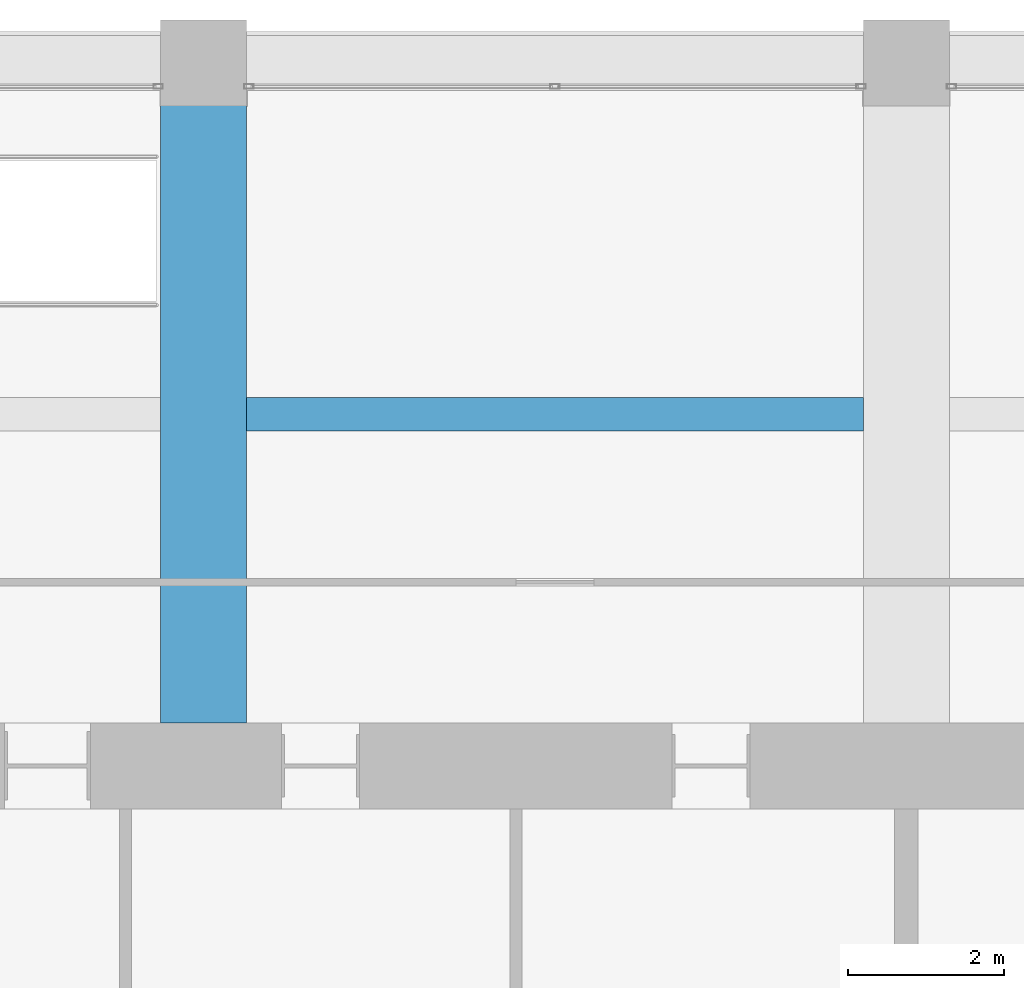
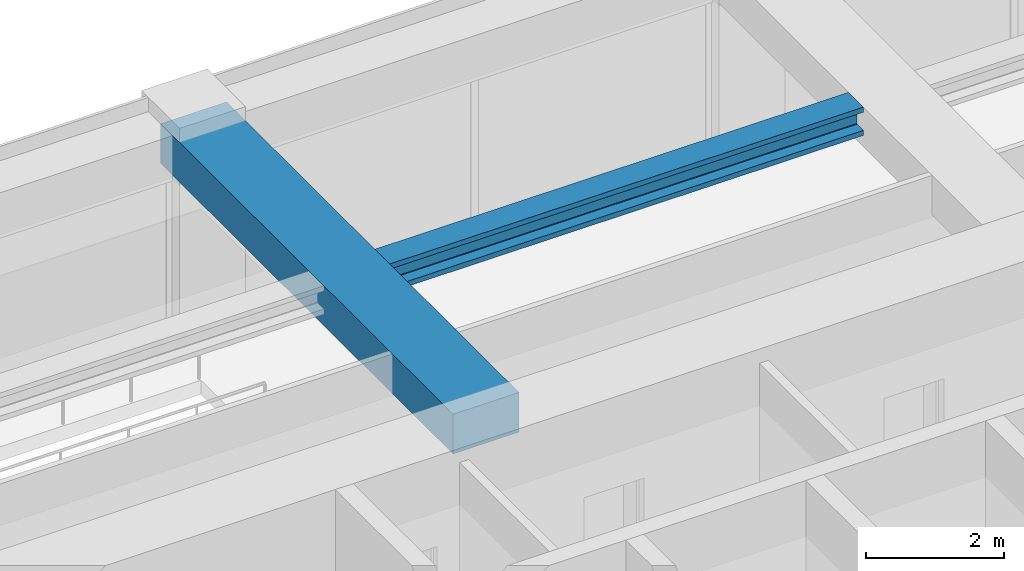
# One storey, part 32 of 44: 2 beams.
"""IFC4 building model written with IfcOpenShell, lengths in metres."""

from ifc_helpers import new_model, si_unit, direction, frame, origin, origin_2d, place, context, subcontext, project, spatial, rectangle, i_section, extrude, material, material_profile, profile_set, type_object, element, save


model = new_model("IFC4")

# Units and contexts
model_context = context("Model", 3, precision=1e-05, world=origin(), true_north=direction((0.0, 1.0)))
body_context = subcontext(model_context, "Body", "Model", "MODEL_VIEW")
ifc_project = project(units=[si_unit("LENGTHUNIT", "METRE"), si_unit("AREAUNIT", "SQUARE_METRE"), si_unit("VOLUMEUNIT", "CUBIC_METRE"), si_unit("PLANEANGLEUNIT", "RADIAN"), si_unit("MASSUNIT", "GRAM", prefix="KILO")], contexts=[model_context])

# Site, building, storey
site_placement = place(None, origin())
site = spatial("IfcSite", under=ifc_project, at=site_placement, CompositionType="ELEMENT")
building_placement = place(site_placement, origin())
building = spatial("IfcBuilding", under=site, at=building_placement, Name="Zorevar Civic Tower", CompositionType="ELEMENT")
storey_placement = place(building_placement, frame((0.0, 0.0, 275.39990234375)))
storey = spatial("IfcBuildingStorey", under=building, at=storey_placement, Name="L67", CompositionType="ELEMENT", Elevation=275.39990234375)

# Beams
ifc_material_1 = material(Name="Concrete C50/60", Category="concrete")
ifc_material_profile_1 = material_profile(ifc_material_1, rectangle(XDim=1.10009765625, YDim=0.699951171875, at=origin_2d()), Name="RC 1100x700")
ifc_profile_set_1 = profile_set([ifc_material_profile_1], Name="Concrete C50/60")
beam_type_1 = type_object("IfcBeamType", Name="Beam RC 1100x700", PredefinedType="BEAM", material=ifc_profile_set_1)
beam_1_placement = place(storey_placement, frame((27.0, 36.550048828125, 3.400146484375), z_axis=(0.0, 1.0, 0.0), x_axis=(-1.0, 0.0, 0.0)))
element("IfcBeam", 1, at=beam_1_placement, inside=storey, type_object=beam_type_1, Name="Girder L68", PredefinedType="BEAM", context=body_context, shape_type="SweptSolid", body=[
    extrude(rectangle(XDim=1.10009765625, YDim=0.699951171875, at=origin_2d()), origin(), (0.0, 0.0, 1.0), 8.449951171875),
])
ifc_material_2 = material(Name="Steel S460M (HISTAR 460)", Category="steel")
ifc_material_profile_2 = material_profile(ifc_material_2, i_section(OverallWidth=0.431884765625, OverallDepth=0.498046875, WebThickness=0.0556640625, FlangeThickness=0.0888671875, FilletRadius=0.014892578125, at=origin_2d()), Name="HD 400x744")
ifc_profile_set_2 = profile_set([ifc_material_profile_2], Name="Steel S460M (HISTAR 460)")
beam_type_2 = type_object("IfcBeamType", Name="Core bay beam HD 400x744", PredefinedType="BEAM", material=ifc_profile_set_2)
beam_2_placement = place(storey_placement, frame((27.550048828125, 40.5, 3.5009765625), z_axis=(1.0, 0.0, 0.0), x_axis=(0.0, 1.0, 0.0)))
element("IfcBeam", 2, at=beam_2_placement, inside=storey, type_object=beam_type_2, Name="Secondary beam L68", PredefinedType="BEAM", context=body_context, shape_type="SweptSolid", body=[
    extrude(i_section(OverallWidth=0.431884765625, OverallDepth=0.498046875, WebThickness=0.0556640625, FlangeThickness=0.0888671875, FilletRadius=0.014892578125, at=origin_2d()), origin(), (0.0, 0.0, 1.0), 7.89990234375),
])

save(model, "model.ifc")
